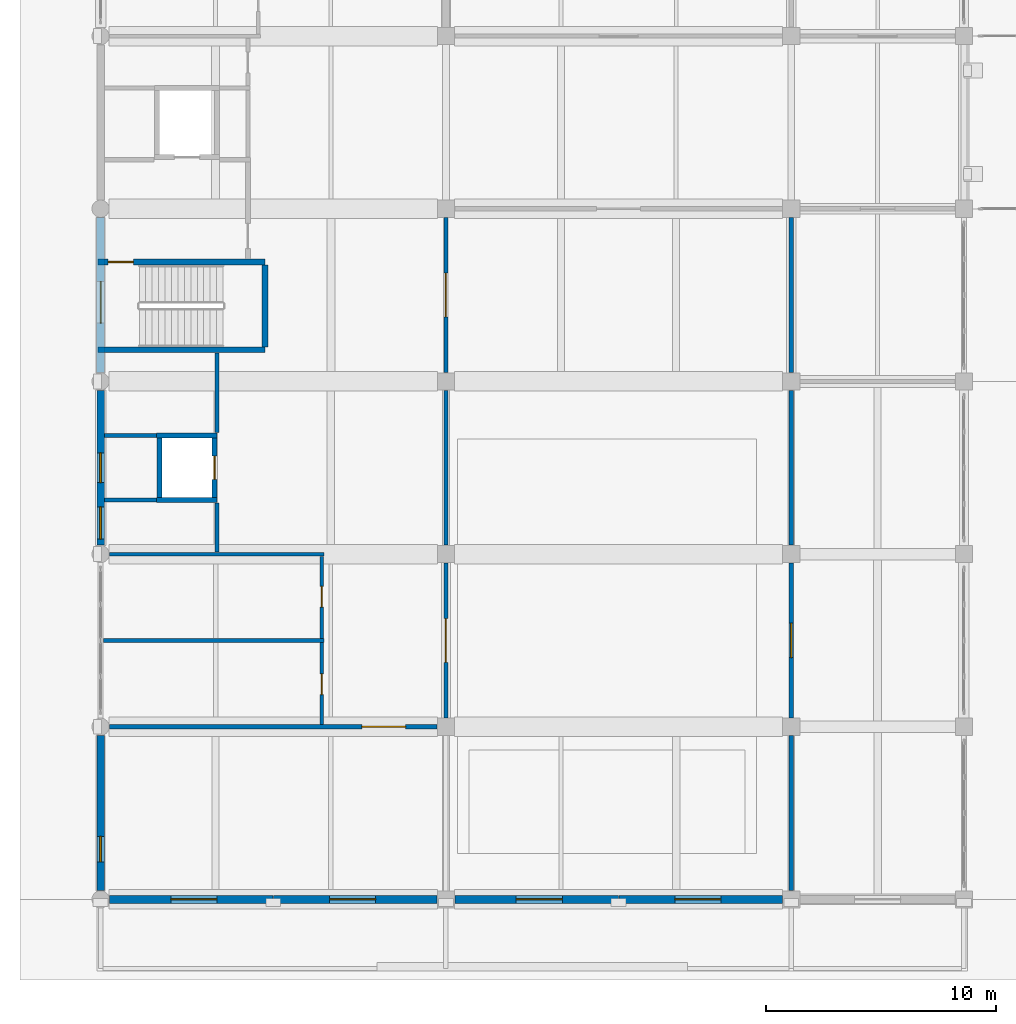
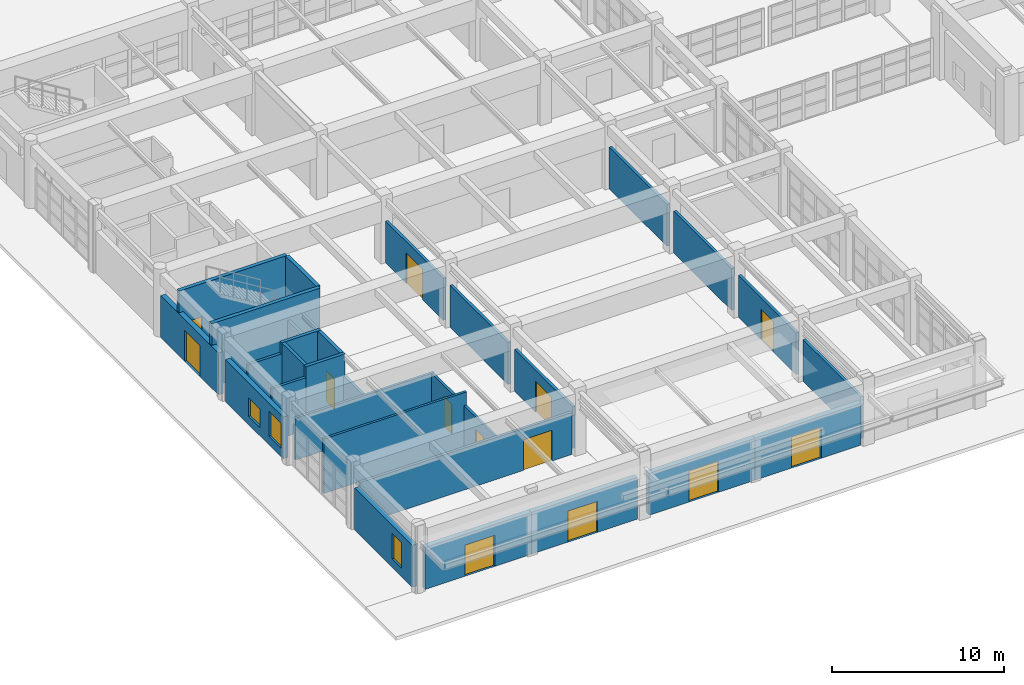
# One storey, part 85 of 122: 30 walls, 13 doors, 3 windows, 16 openings.
"""IFC4 building model written with IfcOpenShell, lengths in metres."""

from ifc_helpers import new_model, si_unit, direction, frame, frame_2d, origin, place, context, subcontext, project, spatial, rectangle, extrude, material, layer, layer_set, type_object, element, fill, save


model = new_model("IFC4")

# Units and contexts
model_context = context("Model", 3, precision=1e-05, world=origin(), true_north=direction((0.0, 1.0)))
body_context = subcontext(model_context, "Body", "Model", "MODEL_VIEW")
ifc_project = project(units=[si_unit("LENGTHUNIT", "METRE"), si_unit("AREAUNIT", "SQUARE_METRE"), si_unit("VOLUMEUNIT", "CUBIC_METRE"), si_unit("PLANEANGLEUNIT", "RADIAN"), si_unit("MASSUNIT", "GRAM", prefix="KILO")], contexts=[model_context])

# Site, building, storey
site_placement = place(None, origin())
site = spatial("IfcSite", under=ifc_project, at=site_placement, CompositionType="ELEMENT")
building_placement = place(site_placement, origin())
building = spatial("IfcBuilding", under=site, at=building_placement, Name="Qasida Concert Hall", CompositionType="ELEMENT")
storey_placement = place(building_placement, origin())
storey = spatial("IfcBuildingStorey", under=building, at=storey_placement, Name="L00", CompositionType="ELEMENT", Elevation=0.0)

# Walls
ifc_material_1 = material(Name="Concrete C40/50", Category="concrete")
ifc_layer_1 = layer(ifc_material_1, 0.219970703125, Name="Concrete C40/50")
ifc_layer_set_1 = layer_set([ifc_layer_1], Name="Concrete C40/50")
wall_type_1 = type_object("IfcWallType", Name="WL-CW-220", PredefinedType="SOLIDWALL", material=ifc_layer_set_1)
for number, where, z_axis, x_axis, name in (
    (1, (2.43994140625, 17.35009765625, 0.0), (0.0, 0.0, 1.0), (1.0, 0.0, 0.0), "L00 LF-05 lift shaft wall S"),
    (2, (2.43994140625, 20.14990234375, 0.0), (0.0, 0.0, 1.0), (1.0, 0.0, 0.0), "L00 LF-05 lift shaft wall N"),
):
    element("IfcWall", number, at=place(storey_placement, frame(where, z_axis=z_axis, x_axis=x_axis)), inside=storey, type_object=wall_type_1, Name=name, PredefinedType="SOLIDWALL", context=body_context, shape_type="SweptSolid", body=[
        extrude(rectangle(XDim=2.6201171875, YDim=0.219970703125, at=frame_2d((1.31005859375, 0.0))), origin(), (0.0, 0.0, 1.0), 4.5),
    ])
wall_1_placement = place(storey_placement, frame((2.550048828125, 17.4599609375, 0.0), z_axis=(0.0, 0.0, 1.0), x_axis=(0.0, 1.0, 0.0)))
element("IfcWall", 3, at=wall_1_placement, inside=storey, type_object=wall_type_1, Name="L00 LF-05 lift shaft wall W", PredefinedType="SOLIDWALL", context=body_context, shape_type="SweptSolid", body=[
    extrude(rectangle(XDim=2.580078125, YDim=0.219970703125, at=frame_2d((1.2900390625, 0.0))), origin(), (0.0, 0.0, 1.0), 4.5),
])

# Wall, opening, door
wall_2_placement = place(storey_placement, frame((4.949951171875, 17.4599609375, 0.0), z_axis=(0.0, 0.0, 1.0), x_axis=(0.0, 1.0, 0.0)))
wall_2 = element("IfcWall", 4, at=wall_2_placement, inside=storey, type_object=wall_type_1, Name="L00 LF-05 lift shaft wall E", PredefinedType="SOLIDWALL", context=body_context, shape_type="SweptSolid", body=[
    extrude(rectangle(XDim=2.580078125, YDim=0.219970703125, at=frame_2d((1.2900390625, 0.0))), origin(), (0.0, 0.0, 1.0), 4.5),
])
opening_1_placement = place(wall_2_placement, frame((0.7900390625, 0.0, 0.0)))
opening_1 = element("IfcOpeningElement", 5, at=opening_1_placement, cuts=wall_2, Name="Opening LD-100", PredefinedType="OPENING", context=body_context, shape_type="SweptSolid", body=[
    extrude(rectangle(XDim=1.0, YDim=2.14990234375, at=frame_2d((0.5, 1.074951171875))), frame((0.0, 0.119873046875, 0.0), z_axis=(0.0, -1.0, 0.0), x_axis=(1.0, 0.0, 0.0)), (0.0, 0.0, 1.0), 0.239990234375),
])
ifc_material_2 = material(Name="Brushed bronze passenger lift landing door", Category="steel")
door_type_1 = type_object("IfcDoorType", Name="LD-100", OperationType="SLIDING_TO_LEFT", PredefinedType="DOOR", material=ifc_material_2)
door_1_placement = place(opening_1_placement, origin())
door_1 = element("IfcDoor", 6, at=door_1_placement, inside=storey, type_object=door_type_1, Name="Lift landing door LF-05 L00", OperationType="SLIDING_TO_LEFT", OverallHeight=2.14990234375, OverallWidth=1.0, PredefinedType="DOOR", context=body_context, shape_type="SweptSolid", body=[
    extrude(rectangle(XDim=1.0, YDim=2.14990234375, at=frame_2d((0.5, 1.074951171875))), frame((0.0, 0.02490234375, 0.0), z_axis=(0.0, -1.0, 0.0), x_axis=(1.0, 0.0, 0.0)), (0.0, 0.0, 1.0), 0.050048828125),
])
fill(opening_1, door_1)

# Wall
ifc_layer_2 = layer(ifc_material_1, 0.25, Name="Concrete C40/50")
ifc_layer_set_2 = layer_set([ifc_layer_2], Name="Concrete C40/50")
wall_type_2 = type_object("IfcWallType", Name="WL-CW-250", PredefinedType="SOLIDWALL", material=ifc_layer_set_2)
wall_3_placement = place(storey_placement, frame((-0.1201171875, 23.875, 0.0), z_axis=(0.0, 0.0, 1.0), x_axis=(1.0, 0.0, 0.0)))
element("IfcWall", 7, at=wall_3_placement, inside=storey, type_object=wall_type_2, Name="L00 ST-03 stairwell wall S", PredefinedType="SOLIDWALL", context=body_context, shape_type="SweptSolid", body=[
    extrude(rectangle(XDim=7.260009765625, YDim=0.25, at=frame_2d((3.6298828125, 0.0))), origin(), (0.0, 0.0, 1.0), 4.5),
])

# Wall, opening, door
wall_4_placement = place(storey_placement, frame((-0.1201171875, 27.68505859375, 0.0), z_axis=(0.0, 0.0, 1.0), x_axis=(1.0, 0.0, 0.0)))
wall_4 = element("IfcWall", 8, at=wall_4_placement, inside=storey, type_object=wall_type_2, Name="L00 ST-03 stairwell wall N", PredefinedType="SOLIDWALL", context=body_context, shape_type="SweptSolid", body=[
    extrude(rectangle(XDim=7.260009765625, YDim=0.25, at=frame_2d((3.6298828125, 0.0))), origin(), (0.0, 0.0, 1.0), 4.5),
])
opening_2_placement = place(wall_4_placement, frame((0.449951171875, 0.0, 0.0)))
opening_2 = element("IfcOpeningElement", 9, at=opening_2_placement, cuts=wall_4, Name="Opening FD-110", PredefinedType="OPENING", context=body_context, shape_type="SweptSolid", body=[
    extrude(rectangle(XDim=1.10009765625, YDim=2.14990234375, at=frame_2d((0.550048828125, 1.074951171875))), frame((0.0, 0.135009765625, 0.0), z_axis=(0.0, -1.0, 0.0), x_axis=(1.0, 0.0, 0.0)), (0.0, 0.0, 1.0), 0.27001953125),
])
ifc_material_3 = material(Name="Steel fire-rated stair/lobby door set", Category="steel")
door_type_2 = type_object("IfcDoorType", Name="FD-110", OperationType="NOTDEFINED", PredefinedType="DOOR", material=ifc_material_3)
door_2_placement = place(opening_2_placement, origin())
door_2 = element("IfcDoor", 10, at=door_2_placement, inside=storey, type_object=door_type_2, Name="L00 ST-03 rated stair door", OperationType="SINGLE_SWING_RIGHT", OverallHeight=2.14990234375, OverallWidth=1.10009765625, PredefinedType="DOOR", context=body_context, shape_type="SweptSolid", body=[
    extrude(rectangle(XDim=1.10009765625, YDim=2.14990234375, at=frame_2d((0.550048828125, 1.074951171875))), frame((0.0, 0.02490234375, 0.0), z_axis=(0.0, -1.0, 0.0), x_axis=(1.0, 0.0, 0.0)), (0.0, 0.0, 1.0), 0.050048828125),
])
fill(opening_2, door_2)

# Wall
wall_5_placement = place(storey_placement, frame((7.14501953125, 24.0, 0.0), z_axis=(0.0, 0.0, 1.0), x_axis=(0.0, 1.0, 0.0)))
element("IfcWall", 11, at=wall_5_placement, inside=storey, type_object=wall_type_2, Name="L00 ST-03 stairwell wall E", PredefinedType="SOLIDWALL", context=body_context, shape_type="SweptSolid", body=[
    extrude(rectangle(XDim=3.56005859375, YDim=0.25, at=frame_2d((1.780029296875, 0.0))), origin(), (0.0, 0.0, 1.0), 4.5),
])

# Wall, opening, window
ifc_material_4 = material(Name="Precast concrete C40/50", Category="concrete")
ifc_layer_3 = layer(ifc_material_4, 0.320068359375, Name="Precast concrete C40/50")
ifc_layer_set_3 = layer_set([ifc_layer_3], Name="Precast concrete C40/50")
wall_type_3 = type_object("IfcWallType", Name="WL-EW-320", PredefinedType="SOLIDWALL", material=ifc_layer_set_3)
wall_6_placement = place(storey_placement, frame((0.0, 0.385009765625, 0.0), z_axis=(0.0, 0.0, 1.0), x_axis=(0.0, 1.0, 0.0)))
wall_6 = element("IfcWall", 12, at=wall_6_placement, inside=storey, type_object=wall_type_3, Name="L00 exterior wall EW-320 0118", PredefinedType="SOLIDWALL", context=body_context, shape_type="SweptSolid", body=[
    extrude(rectangle(XDim=6.72998046875, YDim=0.320068359375, at=frame_2d((3.364990234375, 0.0))), origin(), (0.0, 0.0, 1.0), 2.969970703125),
])
opening_3_placement = place(wall_6_placement, frame((1.25, 0.0, 0.60009765625)))
opening_3 = element("IfcOpeningElement", 13, at=opening_3_placement, cuts=wall_6, Name="Opening WN-01", PredefinedType="OPENING", context=body_context, shape_type="SweptSolid", body=[
    extrude(rectangle(XDim=1.10009765625, YDim=1.800048828125, at=frame_2d((0.550048828125, 0.89990234375))), frame((0.0, 0.169921875, 0.0), z_axis=(0.0, -1.0, 0.0), x_axis=(1.0, 0.0, 0.0)), (0.0, 0.0, 1.0), 0.340087890625),
])
ifc_material_5 = material(Name="Bronze-anodized aluminium frame with acoustic low-E glazing", Category="aluminium")
window_type_1 = type_object("IfcWindowType", Name="WN-01", PartitioningType="SINGLE_PANEL", PredefinedType="WINDOW", material=ifc_material_5)
window_1_placement = place(opening_3_placement, origin())
window_1 = element("IfcWindow", 14, at=window_1_placement, inside=storey, type_object=window_type_1, Name="L00 window WN-01 0046", OverallHeight=1.800048828125, OverallWidth=1.10009765625, PartitioningType="SINGLE_PANEL", PredefinedType="WINDOW", context=body_context, shape_type="SweptSolid", body=[
    extrude(rectangle(XDim=1.10009765625, YDim=1.800048828125, at=frame_2d((0.550048828125, 0.89990234375))), frame((0.0, 0.030029296875, 0.0), z_axis=(0.0, -1.0, 0.0), x_axis=(1.0, 0.0, 0.0)), (0.0, 0.0, 1.0), 0.06005859375),
])
fill(opening_3, window_1)

# Wall, openings, windows
wall_7_placement = place(storey_placement, frame((0.0, 15.385009765625, 0.0), z_axis=(0.0, 0.0, 1.0), x_axis=(0.0, 1.0, 0.0)))
wall_7 = element("IfcWall", 15, at=wall_7_placement, inside=storey, type_object=wall_type_3, Name="L00 exterior wall EW-320 0119", PredefinedType="SOLIDWALL", context=body_context, shape_type="SweptSolid", body=[
    extrude(rectangle(XDim=6.72998046875, YDim=0.320068359375, at=frame_2d((3.364990234375, 0.0))), origin(), (0.0, 0.0, 1.0), 2.969970703125),
])
opening_4_placement = place(wall_7_placement, frame((0.267578125, 0.0, 0.60009765625)))
opening_4 = element("IfcOpeningElement", 16, at=opening_4_placement, cuts=wall_7, Name="Opening WN-03", PredefinedType="OPENING", context=body_context, shape_type="SweptSolid", body=[
    extrude(rectangle(XDim=1.39990234375, YDim=1.800048828125, at=frame_2d((0.699951171875, 0.89990234375))), frame((0.0, 0.169921875, 0.0), z_axis=(0.0, -1.0, 0.0), x_axis=(1.0, 0.0, 0.0)), (0.0, 0.0, 1.0), 0.340087890625),
])
opening_5_placement = place(wall_7_placement, frame((2.715087890625, 0.0, 0.60009765625)))
opening_5 = element("IfcOpeningElement", 17, at=opening_5_placement, cuts=wall_7, Name="Opening WN-10", PredefinedType="OPENING", context=body_context, shape_type="SweptSolid", body=[
    extrude(rectangle(XDim=1.300048828125, YDim=1.300048828125, at=frame_2d((0.64990234375, 0.64990234375))), frame((0.0, 0.169921875, 0.0), z_axis=(0.0, -1.0, 0.0), x_axis=(1.0, 0.0, 0.0)), (0.0, 0.0, 1.0), 0.340087890625),
])
window_type_2 = type_object("IfcWindowType", Name="WN-03", PartitioningType="SINGLE_PANEL", PredefinedType="WINDOW", material=ifc_material_5)
window_2_placement = place(opening_4_placement, origin())
window_2 = element("IfcWindow", 18, at=window_2_placement, inside=storey, type_object=window_type_2, Name="L00 window WN-03 0047", OverallHeight=1.800048828125, OverallWidth=1.39990234375, PartitioningType="SINGLE_PANEL", PredefinedType="WINDOW", context=body_context, shape_type="SweptSolid", body=[
    extrude(rectangle(XDim=1.39990234375, YDim=1.800048828125, at=frame_2d((0.699951171875, 0.89990234375))), frame((0.0, 0.030029296875, 0.0), z_axis=(0.0, -1.0, 0.0), x_axis=(1.0, 0.0, 0.0)), (0.0, 0.0, 1.0), 0.06005859375),
])
fill(opening_4, window_2)
window_type_3 = type_object("IfcWindowType", Name="WN-10", PartitioningType="SINGLE_PANEL", PredefinedType="WINDOW", material=ifc_material_5)
window_3_placement = place(opening_5_placement, origin())
window_3 = element("IfcWindow", 19, at=window_3_placement, inside=storey, type_object=window_type_3, Name="L00 window WN-10 0048", OverallHeight=1.300048828125, OverallWidth=1.300048828125, PartitioningType="SINGLE_PANEL", PredefinedType="WINDOW", context=body_context, shape_type="SweptSolid", body=[
    extrude(rectangle(XDim=1.300048828125, YDim=1.300048828125, at=frame_2d((0.64990234375, 0.64990234375))), frame((0.0, 0.030029296875, 0.0), z_axis=(0.0, -1.0, 0.0), x_axis=(1.0, 0.0, 0.0)), (0.0, 0.0, 1.0), 0.06005859375),
])
fill(opening_5, window_3)

# Wall, opening, door
ifc_layer_4 = layer(ifc_material_4, 0.340087890625, Name="Precast concrete C40/50")
ifc_layer_set_4 = layer_set([ifc_layer_4], Name="Precast concrete C40/50")
wall_type_4 = type_object("IfcWallType", Name="WL-EW-340", PredefinedType="SOLIDWALL", material=ifc_layer_set_4)
wall_8_placement = place(storey_placement, frame((0.385009765625, 0.0, 0.0), z_axis=(0.0, 0.0, 1.0), x_axis=(1.0, 0.0, 0.0)))
wall_8 = element("IfcWall", 20, at=wall_8_placement, inside=storey, type_object=wall_type_4, Name="L00 exterior wall EW-340 0113", PredefinedType="SOLIDWALL", context=body_context, shape_type="SweptSolid", body=[
    extrude(rectangle(XDim=7.110107421875, YDim=0.340087890625, at=frame_2d((3.55517578125, 0.0))), origin(), (0.0, 0.0, 1.0), 2.969970703125),
])
opening_6_placement = place(wall_8_placement, frame((2.669921875, 0.0, 0.0)))
opening_6 = element("IfcOpeningElement", 21, at=opening_6_placement, cuts=wall_8, Name="Opening ED-200", PredefinedType="OPENING", context=body_context, shape_type="SweptSolid", body=[
    extrude(rectangle(XDim=2.0, YDim=2.199951171875, at=frame_2d((1.0, 1.10009765625))), frame((0.0, 0.179931640625, 0.0), z_axis=(0.0, -1.0, 0.0), x_axis=(1.0, 0.0, 0.0)), (0.0, 0.0, 1.0), 0.360107421875),
])
ifc_material_6 = material(Name="Patinated architectural bronze and laminated safety glass", Category="glass")
door_type_3 = type_object("IfcDoorType", Name="ED-200", OperationType="NOTDEFINED", PredefinedType="DOOR", material=ifc_material_6)
door_3_placement = place(opening_6_placement, frame((2.0, 0.0, 0.0), z_axis=(0.0, 0.0, 1.0), x_axis=(-1.0, 0.0, 0.0)))
door_3 = element("IfcDoor", 22, at=door_3_placement, inside=storey, type_object=door_type_3, Name="Grand foyer south entrance exit door 1", OperationType="SINGLE_SWING_RIGHT", OverallHeight=2.199951171875, OverallWidth=2.0, PredefinedType="DOOR", context=body_context, shape_type="SweptSolid", body=[
    extrude(rectangle(XDim=2.0, YDim=2.199951171875, at=frame_2d((1.0, 1.10009765625))), frame((0.0, 0.02490234375, 0.0), z_axis=(0.0, -1.0, 0.0), x_axis=(1.0, 0.0, 0.0)), (0.0, 0.0, 1.0), 0.050048828125),
])
fill(opening_6, door_3)

wall_9_placement = place(storey_placement, frame((7.5048828125, 0.0, 0.0), z_axis=(0.0, 0.0, 1.0), x_axis=(1.0, 0.0, 0.0)))
wall_9 = element("IfcWall", 23, at=wall_9_placement, inside=storey, type_object=wall_type_4, Name="L00 exterior wall EW-340 0114", PredefinedType="SOLIDWALL", context=body_context, shape_type="SweptSolid", body=[
    extrude(rectangle(XDim=7.110107421875, YDim=0.340087890625, at=frame_2d((3.55517578125, 0.0))), origin(), (0.0, 0.0, 1.0), 2.969970703125),
])
opening_7_placement = place(wall_9_placement, frame((2.43994140625, 0.0, 0.0)))
opening_7 = element("IfcOpeningElement", 24, at=opening_7_placement, cuts=wall_9, Name="Opening ED-200", PredefinedType="OPENING", context=body_context, shape_type="SweptSolid", body=[
    extrude(rectangle(XDim=2.0, YDim=2.199951171875, at=frame_2d((1.0, 1.10009765625))), frame((0.0, 0.179931640625, 0.0), z_axis=(0.0, -1.0, 0.0), x_axis=(1.0, 0.0, 0.0)), (0.0, 0.0, 1.0), 0.360107421875),
])
door_4_placement = place(opening_7_placement, frame((2.0, 0.0, 0.0), z_axis=(0.0, 0.0, 1.0), x_axis=(-1.0, 0.0, 0.0)))
door_4 = element("IfcDoor", 25, at=door_4_placement, inside=storey, type_object=door_type_3, Name="Grand foyer south entrance exit door 2", OperationType="SINGLE_SWING_LEFT", OverallHeight=2.199951171875, OverallWidth=2.0, PredefinedType="DOOR", context=body_context, shape_type="SweptSolid", body=[
    extrude(rectangle(XDim=2.0, YDim=2.199951171875, at=frame_2d((1.0, 1.10009765625))), frame((0.0, 0.02490234375, 0.0), z_axis=(0.0, -1.0, 0.0), x_axis=(1.0, 0.0, 0.0)), (0.0, 0.0, 1.0), 0.050048828125),
])
fill(opening_7, door_4)

wall_10_placement = place(storey_placement, frame((15.385009765625, 0.0, 0.0), z_axis=(0.0, 0.0, 1.0), x_axis=(1.0, 0.0, 0.0)))
wall_10 = element("IfcWall", 26, at=wall_10_placement, inside=storey, type_object=wall_type_4, Name="L00 exterior wall EW-340 0115", PredefinedType="SOLIDWALL", context=body_context, shape_type="SweptSolid", body=[
    extrude(rectangle(XDim=7.119873046875, YDim=0.340087890625, at=frame_2d((3.56005859375, 0.0))), origin(), (0.0, 0.0, 1.0), 2.969970703125),
])
opening_8_placement = place(wall_10_placement, frame((2.669921875, 0.0, 0.0)))
opening_8 = element("IfcOpeningElement", 27, at=opening_8_placement, cuts=wall_10, Name="Opening ED-200", PredefinedType="OPENING", context=body_context, shape_type="SweptSolid", body=[
    extrude(rectangle(XDim=2.0, YDim=2.199951171875, at=frame_2d((1.0, 1.10009765625))), frame((0.0, 0.179931640625, 0.0), z_axis=(0.0, -1.0, 0.0), x_axis=(1.0, 0.0, 0.0)), (0.0, 0.0, 1.0), 0.360107421875),
])
door_5_placement = place(opening_8_placement, frame((2.0, 0.0, 0.0), z_axis=(0.0, 0.0, 1.0), x_axis=(-1.0, 0.0, 0.0)))
door_5 = element("IfcDoor", 28, at=door_5_placement, inside=storey, type_object=door_type_3, Name="Grand foyer south entrance exit door 3", OperationType="SINGLE_SWING_RIGHT", OverallHeight=2.199951171875, OverallWidth=2.0, PredefinedType="DOOR", context=body_context, shape_type="SweptSolid", body=[
    extrude(rectangle(XDim=2.0, YDim=2.199951171875, at=frame_2d((1.0, 1.10009765625))), frame((0.0, 0.02490234375, 0.0), z_axis=(0.0, -1.0, 0.0), x_axis=(1.0, 0.0, 0.0)), (0.0, 0.0, 1.0), 0.050048828125),
])
fill(opening_8, door_5)

wall_11_placement = place(storey_placement, frame((22.510009765625, 0.0, 0.0), z_axis=(0.0, 0.0, 1.0), x_axis=(1.0, 0.0, 0.0)))
wall_11 = element("IfcWall", 29, at=wall_11_placement, inside=storey, type_object=wall_type_4, Name="L00 exterior wall EW-340 0116", PredefinedType="SOLIDWALL", context=body_context, shape_type="SweptSolid", body=[
    extrude(rectangle(XDim=7.10498046875, YDim=0.340087890625, at=frame_2d((3.552490234375, 0.0))), origin(), (0.0, 0.0, 1.0), 2.969970703125),
])
opening_9_placement = place(wall_11_placement, frame((2.43505859375, 0.0, 0.0)))
opening_9 = element("IfcOpeningElement", 30, at=opening_9_placement, cuts=wall_11, Name="Opening ED-200", PredefinedType="OPENING", context=body_context, shape_type="SweptSolid", body=[
    extrude(rectangle(XDim=2.0, YDim=2.199951171875, at=frame_2d((1.0, 1.10009765625))), frame((0.0, 0.179931640625, 0.0), z_axis=(0.0, -1.0, 0.0), x_axis=(1.0, 0.0, 0.0)), (0.0, 0.0, 1.0), 0.360107421875),
])
door_6_placement = place(opening_9_placement, frame((2.0, 0.0, 0.0), z_axis=(0.0, 0.0, 1.0), x_axis=(-1.0, 0.0, 0.0)))
door_6 = element("IfcDoor", 31, at=door_6_placement, inside=storey, type_object=door_type_3, Name="Grand foyer south entrance exit door 4", OperationType="SINGLE_SWING_LEFT", OverallHeight=2.199951171875, OverallWidth=2.0, PredefinedType="DOOR", context=body_context, shape_type="SweptSolid", body=[
    extrude(rectangle(XDim=2.0, YDim=2.199951171875, at=frame_2d((1.0, 1.10009765625))), frame((0.0, 0.02490234375, 0.0), z_axis=(0.0, -1.0, 0.0), x_axis=(1.0, 0.0, 0.0)), (0.0, 0.0, 1.0), 0.050048828125),
])
fill(opening_9, door_6)

wall_12_placement = place(storey_placement, frame((0.0, 22.885009765625, 0.0), z_axis=(0.0, 0.0, 1.0), x_axis=(0.0, 1.0, 0.0)))
wall_12 = element("IfcWall", 32, at=wall_12_placement, inside=storey, type_object=wall_type_4, Name="L00 exterior wall EW-340 0120", PredefinedType="SOLIDWALL", context=body_context, shape_type="SweptSolid", body=[
    extrude(rectangle(XDim=6.72998046875, YDim=0.340087890625, at=frame_2d((3.364990234375, 0.0))), origin(), (0.0, 0.0, 1.0), 2.969970703125),
])
opening_10_placement = place(wall_12_placement, frame((2.152099609375, 0.0, 0.0)))
opening_10 = element("IfcOpeningElement", 33, at=opening_10_placement, cuts=wall_12, Name="Opening ED-180", PredefinedType="OPENING", context=body_context, shape_type="SweptSolid", body=[
    extrude(rectangle(XDim=1.800048828125, YDim=2.199951171875, at=frame_2d((0.89990234375, 1.10009765625))), frame((0.0, 0.179931640625, 0.0), z_axis=(0.0, -1.0, 0.0), x_axis=(1.0, 0.0, 0.0)), (0.0, 0.0, 1.0), 0.360107421875),
])
door_type_4 = type_object("IfcDoorType", Name="ED-180", OperationType="NOTDEFINED", PredefinedType="DOOR", material=ifc_material_6)
door_7_placement = place(opening_10_placement, origin())
door_7 = element("IfcDoor", 34, at=door_7_placement, inside=storey, type_object=door_type_4, Name="Exit stair ST-03 final discharge door", OperationType="SINGLE_SWING_LEFT", OverallHeight=2.199951171875, OverallWidth=1.800048828125, PredefinedType="DOOR", context=body_context, shape_type="SweptSolid", body=[
    extrude(rectangle(XDim=1.800048828125, YDim=2.199951171875, at=frame_2d((0.89990234375, 1.10009765625))), frame((0.0, 0.02490234375, 0.0), z_axis=(0.0, -1.0, 0.0), x_axis=(1.0, 0.0, 0.0)), (0.0, 0.0, 1.0), 0.050048828125),
])
fill(opening_10, door_7)

# Walls
ifc_material_7 = material(Name="Moisture-resistant gypsum partition", Category="gypsum")
ifc_layer_5 = layer(ifc_material_7, 0.159912109375, Name="Moisture-resistant gypsum partition")
ifc_layer_set_5 = layer_set([ifc_layer_5], Name="Moisture-resistant gypsum partition")
wall_type_5 = type_object("IfcWallType", Name="WL-PW-160", PredefinedType="PARTITIONING", material=ifc_layer_set_5)
wall_13_placement = place(storey_placement, frame((0.132080078125, 11.25, 0.0), z_axis=(0.0, 0.0, 1.0), x_axis=(1.0, 0.0, 0.0)))
element("IfcWall", 35, at=wall_13_placement, inside=storey, type_object=wall_type_5, Name="L00 partition PW-160 0080", PredefinedType="PARTITIONING", context=body_context, shape_type="SweptSolid", body=[
    extrude(rectangle(XDim=9.56787109375, YDim=0.159912109375, at=frame_2d((4.783935546875, 0.0))), origin(), (0.0, 0.0, 1.0), 3.8701171875),
])
wall_14_placement = place(storey_placement, frame((0.388916015625, 15.0, 0.0), z_axis=(0.0, 0.0, 1.0), x_axis=(1.0, 0.0, 0.0)))
element("IfcWall", 36, at=wall_14_placement, inside=storey, type_object=wall_type_5, Name="L00 partition PW-160 0081", PredefinedType="PARTITIONING", context=body_context, shape_type="SweptSolid", body=[
    extrude(rectangle(XDim=9.31103515625, YDim=0.159912109375, at=frame_2d((4.655517578125, 0.0))), origin(), (0.0, 0.0, 1.0), 2.969970703125),
])

# Wall, opening, door
wall_15_placement = place(storey_placement, frame((9.60009765625, 7.60400390625, 0.0), z_axis=(0.0, 0.0, 1.0), x_axis=(0.0, 1.0, 0.0)))
wall_15 = element("IfcWall", 37, at=wall_15_placement, inside=storey, type_object=wall_type_5, Name="L00 partition PW-160 0082", PredefinedType="PARTITIONING", context=body_context, shape_type="SweptSolid", body=[
    extrude(rectangle(XDim=3.552001953125, YDim=0.159912109375, at=frame_2d((1.77587890625, 0.0))), origin(), (0.0, 0.0, 1.0), 2.969970703125),
])
opening_11_placement = place(wall_15_placement, frame((1.2958984375, 0.0, 0.0)))
opening_11 = element("IfcOpeningElement", 38, at=opening_11_placement, cuts=wall_15, Name="Opening ID-090", PredefinedType="OPENING", context=body_context, shape_type="SweptSolid", body=[
    extrude(rectangle(XDim=0.89990234375, YDim=2.10009765625, at=frame_2d((0.449951171875, 1.050048828125))), frame((0.0, 0.08984375, 0.0), z_axis=(0.0, -1.0, 0.0), x_axis=(1.0, 0.0, 0.0)), (0.0, 0.0, 1.0), 0.179931640625),
])
ifc_material_8 = material(Name="Quarter-sawn oak flush room door", Category="wood")
door_type_5 = type_object("IfcDoorType", Name="ID-090", OperationType="NOTDEFINED", PredefinedType="DOOR", material=ifc_material_8)
door_8_placement = place(opening_11_placement, origin())
door_8 = element("IfcDoor", 39, at=door_8_placement, inside=storey, type_object=door_type_5, Name="L00 Male restroom door", OperationType="SINGLE_SWING_RIGHT", OverallHeight=2.10009765625, OverallWidth=0.89990234375, PredefinedType="DOOR", context=body_context, shape_type="SweptSolid", body=[
    extrude(rectangle(XDim=0.89990234375, YDim=2.10009765625, at=frame_2d((0.449951171875, 1.050048828125))), frame((0.0, 0.02490234375, 0.0), z_axis=(0.0, -1.0, 0.0), x_axis=(1.0, 0.0, 0.0)), (0.0, 0.0, 1.0), 0.050048828125),
])
fill(opening_11, door_8)

wall_16_placement = place(storey_placement, frame((9.60009765625, 11.343994140625, 0.0), z_axis=(0.0, 0.0, 1.0), x_axis=(0.0, 1.0, 0.0)))
wall_16 = element("IfcWall", 40, at=wall_16_placement, inside=storey, type_object=wall_type_5, Name="L00 partition PW-160 0083", PredefinedType="PARTITIONING", context=body_context, shape_type="SweptSolid", body=[
    extrude(rectangle(XDim=3.56201171875, YDim=0.159912109375, at=frame_2d((1.781005859375, 0.0))), origin(), (0.0, 0.0, 1.0), 2.969970703125),
])
opening_12_placement = place(wall_16_placement, frame((1.35595703125, 0.0, 0.0)))
opening_12 = element("IfcOpeningElement", 41, at=opening_12_placement, cuts=wall_16, Name="Opening ID-090", PredefinedType="OPENING", context=body_context, shape_type="SweptSolid", body=[
    extrude(rectangle(XDim=0.89990234375, YDim=2.10009765625, at=frame_2d((0.449951171875, 1.050048828125))), frame((0.0, 0.08984375, 0.0), z_axis=(0.0, -1.0, 0.0), x_axis=(1.0, 0.0, 0.0)), (0.0, 0.0, 1.0), 0.179931640625),
])
door_9_placement = place(opening_12_placement, origin())
door_9 = element("IfcDoor", 42, at=door_9_placement, inside=storey, type_object=door_type_5, Name="L00 Female restroom door", OperationType="SINGLE_SWING_LEFT", OverallHeight=2.10009765625, OverallWidth=0.89990234375, PredefinedType="DOOR", context=body_context, shape_type="SweptSolid", body=[
    extrude(rectangle(XDim=0.89990234375, YDim=2.10009765625, at=frame_2d((0.449951171875, 1.050048828125))), frame((0.0, 0.02490234375, 0.0), z_axis=(0.0, -1.0, 0.0), x_axis=(1.0, 0.0, 0.0)), (0.0, 0.0, 1.0), 0.050048828125),
])
fill(opening_12, door_9)

ifc_material_9 = material(Name="Acoustic metal-stud gypsum partition", Category="gypsum")
ifc_layer_6 = layer(ifc_material_9, 0.179931640625, Name="Acoustic metal-stud gypsum partition")
ifc_layer_set_6 = layer_set([ifc_layer_6], Name="Acoustic metal-stud gypsum partition")
wall_type_6 = type_object("IfcWallType", Name="WL-PW-180", PredefinedType="PARTITIONING", material=ifc_layer_set_6)
wall_17_placement = place(storey_placement, frame((0.388916015625, 7.5, 0.0), z_axis=(0.0, 0.0, 1.0), x_axis=(1.0, 0.0, 0.0)))
wall_17 = element("IfcWall", 43, at=wall_17_placement, inside=storey, type_object=wall_type_6, Name="L00 partition PW-180 0079", PredefinedType="PARTITIONING", context=body_context, shape_type="SweptSolid", body=[
    extrude(rectangle(XDim=14.22216796875, YDim=0.179931640625, at=frame_2d((7.111083984375, 0.0))), origin(), (0.0, 0.0, 1.0), 2.969970703125),
])
opening_13_placement = place(wall_17_placement, frame((10.9609375, 0.0, 0.0)))
opening_13 = element("IfcOpeningElement", 44, at=opening_13_placement, cuts=wall_17, Name="Opening ID-190", PredefinedType="OPENING", context=body_context, shape_type="SweptSolid", body=[
    extrude(rectangle(XDim=1.89990234375, YDim=2.179931640625, at=frame_2d((0.949951171875, 1.08984375))), frame((0.0, 0.099853515625, 0.0), z_axis=(0.0, -1.0, 0.0), x_axis=(1.0, 0.0, 0.0)), (0.0, 0.0, 1.0), 0.199951171875),
])
ifc_material_10 = material(Name="Bronze-framed glazed promenade door", Category="aluminium")
door_type_6 = type_object("IfcDoorType", Name="ID-190", OperationType="NOTDEFINED", PredefinedType="DOOR", material=ifc_material_10)
door_10_placement = place(opening_13_placement, origin())
door_10 = element("IfcDoor", 45, at=door_10_placement, inside=storey, type_object=door_type_6, Name="L00 West foyer corridor portal", OperationType="SINGLE_SWING_LEFT", OverallHeight=2.179931640625, OverallWidth=1.89990234375, PredefinedType="DOOR", context=body_context, shape_type="SweptSolid", body=[
    extrude(rectangle(XDim=1.89990234375, YDim=2.179931640625, at=frame_2d((0.949951171875, 1.08984375))), frame((0.0, 0.02490234375, 0.0), z_axis=(0.0, -1.0, 0.0), x_axis=(1.0, 0.0, 0.0)), (0.0, 0.0, 1.0), 0.050048828125),
])
fill(opening_13, door_10)

# Walls
for number, where, z_axis, x_axis, name in (
    (46, (0.174072265625, 17.35009765625, 0.0), (0.0, 0.0, 1.0), (1.0, 0.0, 0.0), "L00 partition PW-180 0088"),
    (47, (0.174072265625, 20.14990234375, 0.0), (0.0, 0.0, 1.0), (1.0, 0.0, 0.0), "L00 partition PW-180 0089"),
):
    element("IfcWall", number, at=place(storey_placement, frame(where, z_axis=z_axis, x_axis=x_axis)), inside=storey, type_object=wall_type_6, Name=name, PredefinedType="PARTITIONING", context=body_context, shape_type="SweptSolid", body=[
        extrude(rectangle(XDim=2.265869140625, YDim=0.179931640625, at=frame_2d((1.1328125, 0.0))), origin(), (0.0, 0.0, 1.0), 3.719970703125),
    ])
wall_18_placement = place(storey_placement, frame((5.050048828125, 15.093994140625, 0.0), z_axis=(0.0, 0.0, 1.0), x_axis=(0.0, 1.0, 0.0)))
element("IfcWall", 48, at=wall_18_placement, inside=storey, type_object=wall_type_6, Name="L00 partition PW-180 0090", PredefinedType="PARTITIONING", context=body_context, shape_type="SweptSolid", body=[
    extrude(rectangle(XDim=2.132080078125, YDim=0.179931640625, at=frame_2d((1.06591796875, 0.0))), origin(), (0.0, 0.0, 1.0), 2.969970703125),
])
wall_19_placement = place(storey_placement, frame((5.050048828125, 20.27392578125, 0.0), z_axis=(0.0, 0.0, 1.0), x_axis=(0.0, 1.0, 0.0)))
element("IfcWall", 49, at=wall_19_placement, inside=storey, type_object=wall_type_6, Name="L00 partition PW-180 0091", PredefinedType="PARTITIONING", context=body_context, shape_type="SweptSolid", body=[
    extrude(rectangle(XDim=3.462158203125, YDim=0.179931640625, at=frame_2d((1.73095703125, 0.0))), origin(), (0.0, 0.0, 1.0), 2.969970703125),
])
wall_20_placement = place(storey_placement, frame((30.0, 0.388916015625, 0.0), z_axis=(0.0, 0.0, 1.0), x_axis=(0.0, 1.0, 0.0)))
element("IfcWall", 50, at=wall_20_placement, inside=storey, type_object=wall_type_6, Name="L00 partition PW-180 0178", PredefinedType="PARTITIONING", context=body_context, shape_type="SweptSolid", body=[
    extrude(rectangle(XDim=6.72216796875, YDim=0.179931640625, at=frame_2d((3.361083984375, 0.0))), origin(), (0.0, 0.0, 1.0), 2.969970703125),
])

# Wall, opening, door
wall_21_placement = place(storey_placement, frame((30.0, 7.888916015625, 0.0), z_axis=(0.0, 0.0, 1.0), x_axis=(0.0, 1.0, 0.0)))
wall_21 = element("IfcWall", 51, at=wall_21_placement, inside=storey, type_object=wall_type_6, Name="L00 partition PW-180 0179", PredefinedType="PARTITIONING", context=body_context, shape_type="SweptSolid", body=[
    extrude(rectangle(XDim=6.72216796875, YDim=0.179931640625, at=frame_2d((3.361083984375, 0.0))), origin(), (0.0, 0.0, 1.0), 2.969970703125),
])
opening_14_placement = place(wall_21_placement, frame((2.611083984375, 0.0, 0.0)))
opening_14 = element("IfcOpeningElement", 52, at=opening_14_placement, cuts=wall_21, Name="Opening ID-150", PredefinedType="OPENING", context=body_context, shape_type="SweptSolid", body=[
    extrude(rectangle(XDim=1.5, YDim=2.159912109375, at=frame_2d((0.75, 1.080078125))), frame((0.0, 0.099853515625, 0.0), z_axis=(0.0, -1.0, 0.0), x_axis=(1.0, 0.0, 0.0)), (0.0, 0.0, 1.0), 0.199951171875),
])
ifc_material_11 = material(Name="Bronze-framed glazed foyer door", Category="aluminium")
door_type_7 = type_object("IfcDoorType", Name="ID-150", OperationType="NOTDEFINED", PredefinedType="DOOR", material=ifc_material_11)
door_11_placement = place(opening_14_placement, origin())
door_11 = element("IfcDoor", 53, at=door_11_placement, inside=storey, type_object=door_type_7, Name="L00 Ticketing rotunda door", OperationType="SINGLE_SWING_RIGHT", OverallHeight=2.159912109375, OverallWidth=1.5, PredefinedType="DOOR", context=body_context, shape_type="SweptSolid", body=[
    extrude(rectangle(XDim=1.5, YDim=2.159912109375, at=frame_2d((0.75, 1.080078125))), frame((0.0, 0.02490234375, 0.0), z_axis=(0.0, -1.0, 0.0), x_axis=(1.0, 0.0, 0.0)), (0.0, 0.0, 1.0), 0.050048828125),
])
fill(opening_14, door_11)

# Walls
for number, where, z_axis, x_axis, name in (
    (54, (30.0, 15.388916015625, 0.0), (0.0, 0.0, 1.0), (0.0, 1.0, 0.0), "L00 partition PW-180 0180"),
    (55, (30.0, 22.888916015625, 0.0), (0.0, 0.0, 1.0), (0.0, 1.0, 0.0), "L00 partition PW-180 0181"),
):
    element("IfcWall", number, at=place(storey_placement, frame(where, z_axis=z_axis, x_axis=x_axis)), inside=storey, type_object=wall_type_6, Name=name, PredefinedType="PARTITIONING", context=body_context, shape_type="SweptSolid", body=[
        extrude(rectangle(XDim=6.72216796875, YDim=0.179931640625, at=frame_2d((3.361083984375, 0.0))), origin(), (0.0, 0.0, 1.0), 2.969970703125),
    ])

# Wall, opening, door
wall_22_placement = place(storey_placement, frame((15.0, 7.888916015625, 0.0), z_axis=(0.0, 0.0, 1.0), x_axis=(0.0, 1.0, 0.0)))
wall_22 = element("IfcWall", 56, at=wall_22_placement, inside=storey, type_object=wall_type_6, Name="L00 partition PW-180 0184", PredefinedType="PARTITIONING", context=body_context, shape_type="SweptSolid", body=[
    extrude(rectangle(XDim=6.72216796875, YDim=0.179931640625, at=frame_2d((3.361083984375, 0.0))), origin(), (0.0, 0.0, 1.0), 2.969970703125),
])
opening_15_placement = place(wall_22_placement, frame((2.410888671875, 0.0, 0.0)))
opening_15 = element("IfcOpeningElement", 57, at=opening_15_placement, cuts=wall_22, Name="Opening ID-190", PredefinedType="OPENING", context=body_context, shape_type="SweptSolid", body=[
    extrude(rectangle(XDim=1.89990234375, YDim=2.179931640625, at=frame_2d((0.949951171875, 1.08984375))), frame((0.0, 0.099853515625, 0.0), z_axis=(0.0, -1.0, 0.0), x_axis=(1.0, 0.0, 0.0)), (0.0, 0.0, 1.0), 0.199951171875),
])
door_12_placement = place(opening_15_placement, origin())
door_12 = element("IfcDoor", 58, at=door_12_placement, inside=storey, type_object=door_type_6, Name="L00 Grand foyer south portal", OperationType="SINGLE_SWING_LEFT", OverallHeight=2.179931640625, OverallWidth=1.89990234375, PredefinedType="DOOR", context=body_context, shape_type="SweptSolid", body=[
    extrude(rectangle(XDim=1.89990234375, YDim=2.179931640625, at=frame_2d((0.949951171875, 1.08984375))), frame((0.0, 0.02490234375, 0.0), z_axis=(0.0, -1.0, 0.0), x_axis=(1.0, 0.0, 0.0)), (0.0, 0.0, 1.0), 0.050048828125),
])
fill(opening_15, door_12)

# Wall
wall_23_placement = place(storey_placement, frame((15.0, 15.388916015625, 0.0), z_axis=(0.0, 0.0, 1.0), x_axis=(0.0, 1.0, 0.0)))
element("IfcWall", 59, at=wall_23_placement, inside=storey, type_object=wall_type_6, Name="L00 partition PW-180 0185", PredefinedType="PARTITIONING", context=body_context, shape_type="SweptSolid", body=[
    extrude(rectangle(XDim=6.72216796875, YDim=0.179931640625, at=frame_2d((3.361083984375, 0.0))), origin(), (0.0, 0.0, 1.0), 2.969970703125),
])

# Wall, opening, door
wall_24_placement = place(storey_placement, frame((15.0, 22.888916015625, 0.0), z_axis=(0.0, 0.0, 1.0), x_axis=(0.0, 1.0, 0.0)))
wall_24 = element("IfcWall", 60, at=wall_24_placement, inside=storey, type_object=wall_type_6, Name="L00 partition PW-180 0186", PredefinedType="PARTITIONING", context=body_context, shape_type="SweptSolid", body=[
    extrude(rectangle(XDim=6.72216796875, YDim=0.179931640625, at=frame_2d((3.361083984375, 0.0))), origin(), (0.0, 0.0, 1.0), 2.969970703125),
])
opening_16_placement = place(wall_24_placement, frame((2.410888671875, 0.0, 0.0)))
opening_16 = element("IfcOpeningElement", 61, at=opening_16_placement, cuts=wall_24, Name="Opening ID-190", PredefinedType="OPENING", context=body_context, shape_type="SweptSolid", body=[
    extrude(rectangle(XDim=1.89990234375, YDim=2.179931640625, at=frame_2d((0.949951171875, 1.08984375))), frame((0.0, 0.099853515625, 0.0), z_axis=(0.0, -1.0, 0.0), x_axis=(1.0, 0.0, 0.0)), (0.0, 0.0, 1.0), 0.199951171875),
])
door_13_placement = place(opening_16_placement, origin())
door_13 = element("IfcDoor", 62, at=door_13_placement, inside=storey, type_object=door_type_6, Name="L00 Grand foyer north portal", OperationType="SINGLE_SWING_RIGHT", OverallHeight=2.179931640625, OverallWidth=1.89990234375, PredefinedType="DOOR", context=body_context, shape_type="SweptSolid", body=[
    extrude(rectangle(XDim=1.89990234375, YDim=2.179931640625, at=frame_2d((0.949951171875, 1.08984375))), frame((0.0, 0.02490234375, 0.0), z_axis=(0.0, -1.0, 0.0), x_axis=(1.0, 0.0, 0.0)), (0.0, 0.0, 1.0), 0.050048828125),
])
fill(opening_16, door_13)

save(model, "model.ifc")
